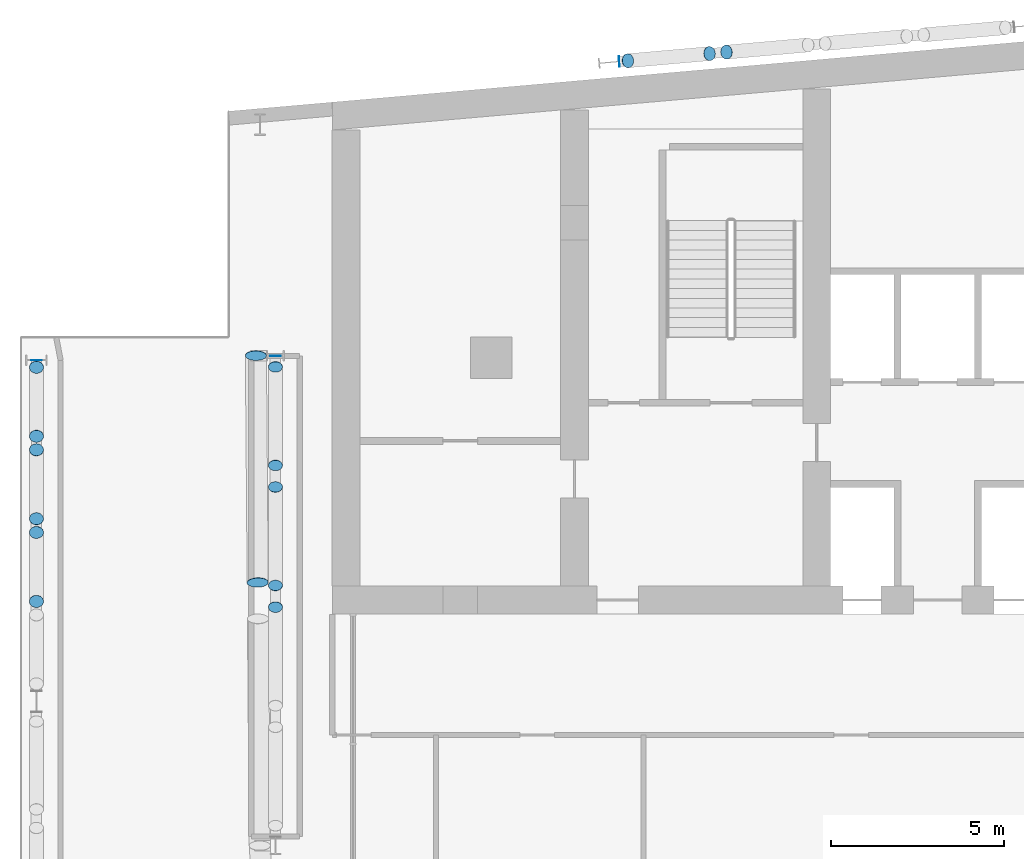
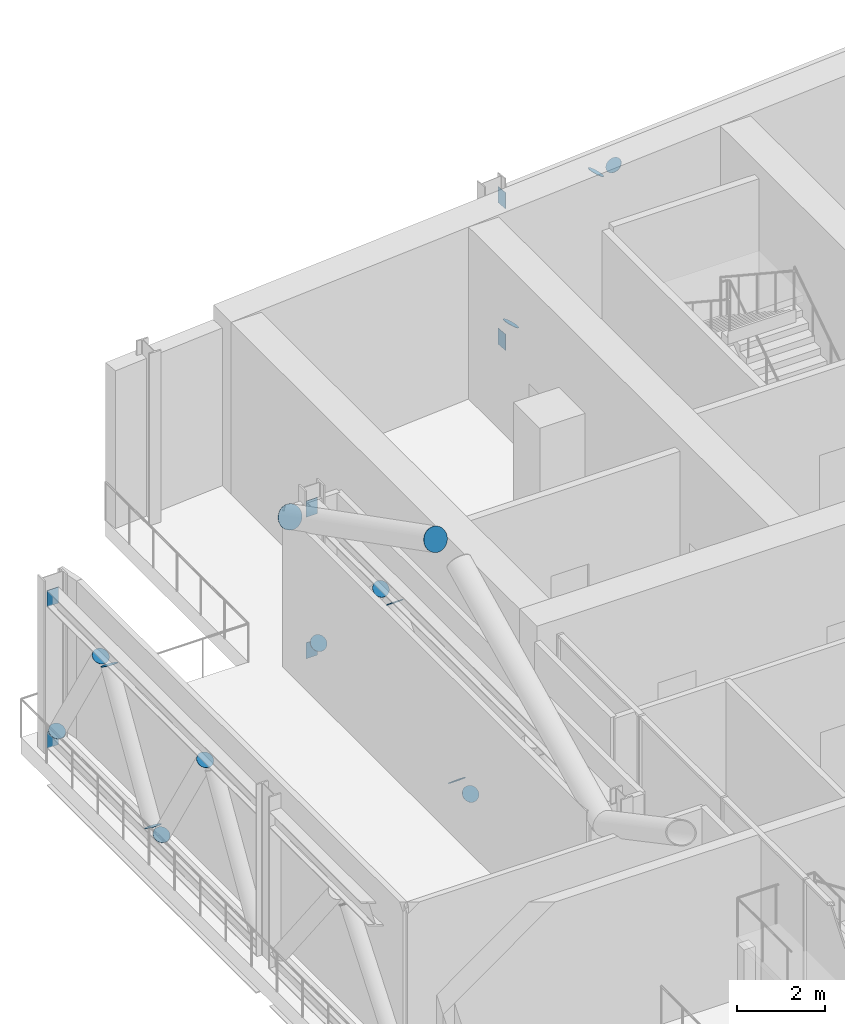
# One storey, part 25 of 35: 22 discrete accessories.
"""IFC4 building model written with IfcOpenShell, lengths in metres."""

from ifc_helpers import new_model, si_unit, direction, frame, origin, origin_2d, place, context, subcontext, project, spatial, rectangle, circle, extrude, material, material_profile, profile_set, type_object, element, save


model = new_model("IFC4")

# Units and contexts
model_context = context("Model", 3, precision=1e-05, world=origin(), true_north=direction((0.0, 1.0)))
body_context = subcontext(model_context, "Body", "Model", "MODEL_VIEW")
ifc_project = project(units=[si_unit("LENGTHUNIT", "METRE"), si_unit("AREAUNIT", "SQUARE_METRE"), si_unit("VOLUMEUNIT", "CUBIC_METRE"), si_unit("PLANEANGLEUNIT", "RADIAN"), si_unit("MASSUNIT", "GRAM", prefix="KILO")], contexts=[model_context])

# Site, building, storey
site_placement = place(None, origin())
site = spatial("IfcSite", under=ifc_project, at=site_placement, CompositionType="ELEMENT")
building_placement = place(site_placement, origin())
building = spatial("IfcBuilding", under=site, at=building_placement, Name="Wharfspan Tower", CompositionType="ELEMENT")
storey_placement = place(building_placement, frame((0.0, 0.0, 202.300049)))
storey = spatial("IfcBuildingStorey", under=building, at=storey_placement, Name="L50", CompositionType="ELEMENT", Elevation=202.300049)

# Discrete accessories
ifc_material_1 = material(Name="Steel S460NH", Category="steel")
ifc_material_profile_1 = material_profile(ifc_material_1, circle(Radius=0.203125, at=origin_2d()))
ifc_profile_set_1 = profile_set([ifc_material_profile_1], Name="Steel S460NH")
discrete_accessory_type_1 = type_object("IfcDiscreteAccessoryType", Name="End plate CHS 406x16", PredefinedType="BRACKET", material=ifc_profile_set_1)
for number, where, z_axis, x_axis, name in (
    (1, (27.397949, 50.234619, 3.830811), (-0.587466, -0.048956, 0.807766), (0.083046, -0.996542, 0.0), "End plate CHS 406x16"),
    (2, (26.906982, 50.19165, 3.838867), (-0.587466, -0.048956, -0.807766), (0.083046, -0.996542, 0.0), "End plate CHS 406x16"),
    (3, (24.547363, 49.985107, 0.569092), (-0.587466, -0.048956, -0.807766), (0.083046, -0.996542, 0.0), "End plate CHS 406x16"),
):
    element("IfcDiscreteAccessory", number, at=place(storey_placement, frame(where, z_axis=z_axis, x_axis=x_axis)), inside=storey, type_object=discrete_accessory_type_1, Name=name, PredefinedType="BRACKET", context=body_context, shape_type="SweptSolid", body=[
        extrude(circle(Radius=0.203125, at=origin_2d()), origin(), (0.0, 0.0, 1.0), 0.01001),
    ])
for number, where, z_axis, x_axis, name in (
    (4, (14.357178, 41.140137, 0.57666), (0.0, -0.668965, 0.743294), (1.0, 0.0, 0.0), "End plate CHS 406x16"),
    (5, (14.357666, 38.292969, 3.815918), (0.0, -0.668965, 0.743294), (1.0, 0.0, 0.0), "End plate CHS 406x16"),
    (6, (14.35791, 37.668213, 3.823242), (0.0, -0.668965, -0.743294), (1.0, 0.0, 0.0), "End plate CHS 406x16"),
    (7, (14.358398, 34.821289, 0.583984), (0.0, -0.668965, -0.743294), (1.0, 0.0, 0.0), "End plate CHS 406x16"),
    (8, (14.358643, 34.196533, 0.57666), (0.0, -0.668965, 0.743294), (1.0, 0.0, 0.0), "End plate CHS 406x16"),
):
    element("IfcDiscreteAccessory", number, at=place(storey_placement, frame(where, z_axis=z_axis, x_axis=x_axis)), inside=storey, type_object=discrete_accessory_type_1, Name=name, PredefinedType="BRACKET", context=body_context, shape_type="SweptSolid", body=[
        extrude(circle(Radius=0.203125, at=origin_2d()), origin(), (0.0, 0.0, 1.0), 0.009766),
    ])
for number, where, z_axis, x_axis, name in (
    (9, (7.450439, 41.128174, 0.546387), (0.0, -0.514496, 0.857493), (1.0, 0.0, 0.0), "End plate CHS 406x16"),
    (10, (7.450439, 39.135498, 3.844971), (0.0, -0.514496, 0.857493), (1.0, 0.0, 0.0), "End plate CHS 406x16"),
    (11, (7.450439, 38.741699, 3.853516), (0.0, -0.514496, -0.857493), (1.0, 0.0, 0.0), "End plate CHS 406x16"),
    (12, (7.450195, 36.749023, 0.554932), (0.0, -0.514496, -0.857493), (1.0, 0.0, 0.0), "End plate CHS 406x16"),
    (13, (7.450195, 36.355469, 0.546387), (0.0, -0.532172, 0.846637), (1.0, 0.0, 0.0), "End plate CHS 406x16"),
    (14, (7.450195, 34.362549, 3.844971), (0.0, -0.514496, 0.857493), (1.0, 0.0, 0.0), "End plate CHS 406x16"),
):
    element("IfcDiscreteAccessory", number, at=place(storey_placement, frame(where, z_axis=z_axis, x_axis=x_axis)), inside=storey, type_object=discrete_accessory_type_1, Name=name, PredefinedType="BRACKET", context=body_context, shape_type="SweptSolid", body=[
        extrude(circle(Radius=0.203125, at=origin_2d()), origin(), (0.0, 0.0, 1.0), 0.01001),
    ])
ifc_material_profile_2 = material_profile(ifc_material_1, circle(Radius=0.304932, at=origin_2d()))
ifc_profile_set_2 = profile_set([ifc_material_profile_2], Name="Steel S460NH")
discrete_accessory_type_2 = type_object("IfcDiscreteAccessoryType", Name="End plate CHS 610x25", PredefinedType="BRACKET", material=ifc_profile_set_2)
discrete_accessory_1_placement = place(storey_placement, frame((13.792969, 41.468506, 4.095459), z_axis=(0.0, -0.894427, 0.447214), x_axis=(1.0, 0.0, 0.0)))
element("IfcDiscreteAccessory", 15, at=discrete_accessory_1_placement, inside=storey, type_object=discrete_accessory_type_2, Name="End plate CHS 610x25", PredefinedType="BRACKET", context=body_context, shape_type="SweptSolid", body=[
    extrude(circle(Radius=0.304932, at=origin_2d()), origin(), (0.0, 0.0, 1.0), 0.009766),
])
discrete_accessory_2_placement = place(storey_placement, frame((13.844727, 34.910645, 7.430176), z_axis=(0.024296, -0.89897, 0.437337), x_axis=(0.999631, 0.027017, 1e-06)))
element("IfcDiscreteAccessory", 16, at=discrete_accessory_2_placement, inside=storey, type_object=discrete_accessory_type_2, Name="End plate CHS 610x25", PredefinedType="BRACKET", context=body_context, shape_type="SweptSolid", body=[
    extrude(circle(Radius=0.304932, at=origin_2d()), origin(), (0.0, 0.0, 1.0), 0.01001),
])
ifc_material_2 = material(Name="Steel S355J2", Category="steel")
ifc_material_profile_3 = material_profile(ifc_material_2, rectangle(XDim=0.300049, YDim=0.449951, at=origin_2d()))
ifc_profile_set_3 = profile_set([ifc_material_profile_3], Name="Steel S355J2")
discrete_accessory_type_3 = type_object("IfcDiscreteAccessoryType", Name="End plate HEB 450", PredefinedType="BRACKET", material=ifc_profile_set_3)
for number, where, z_axis, x_axis, name in (
    (17, (24.298828, 49.963379, 4.175049), (-0.997334, -0.072976, 0.0), (0.072976, -0.997334, 0.0), "End plate HEB 450"),
    (18, (24.298828, 49.963379, 0.224854), (-0.997334, -0.072976, 0.0), (0.072976, -0.997334, 0.0), "End plate HEB 450"),
    (19, (14.356934, 41.459229, 4.175049), (0.0, -1.0, 0.0), (1.0, 0.0, 0.0), "End plate HEB 450"),
    (20, (14.356934, 41.459229, 0.224854), (0.0, -1.0, 0.0), (1.0, 0.0, 0.0), "End plate HEB 450"),
    (21, (7.450439, 41.33252, 4.175049), (0.0, -1.0, 0.0), (1.0, 0.0, 0.0), "End plate HEB 450"),
    (22, (7.450439, 41.33252, 0.224854), (0.0, -1.0, 0.0), (1.0, 0.0, 0.0), "End plate HEB 450"),
):
    element("IfcDiscreteAccessory", number, at=place(storey_placement, frame(where, z_axis=z_axis, x_axis=x_axis)), inside=storey, type_object=discrete_accessory_type_3, Name=name, PredefinedType="BRACKET", context=body_context, shape_type="SweptSolid", body=[
        extrude(rectangle(XDim=0.300049, YDim=0.449951, at=origin_2d()), origin(), (0.0, 0.0, 1.0), 0.01001),
    ])

save(model, "model.ifc")
